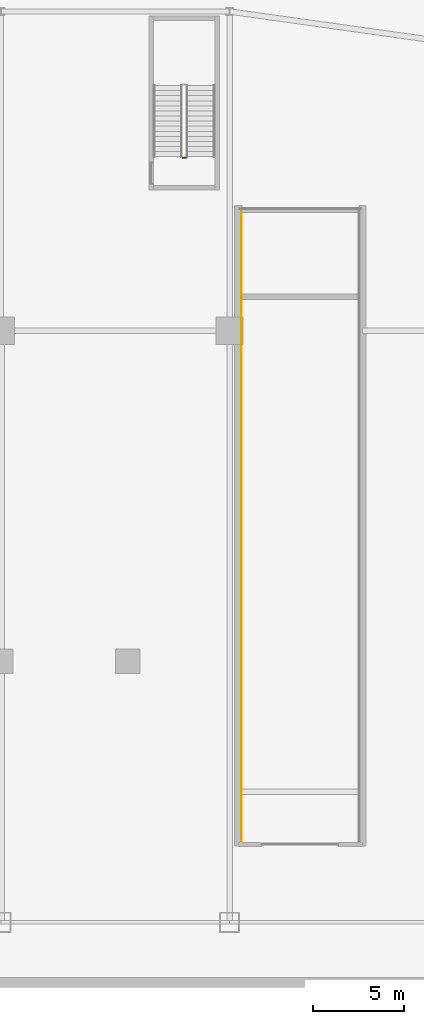
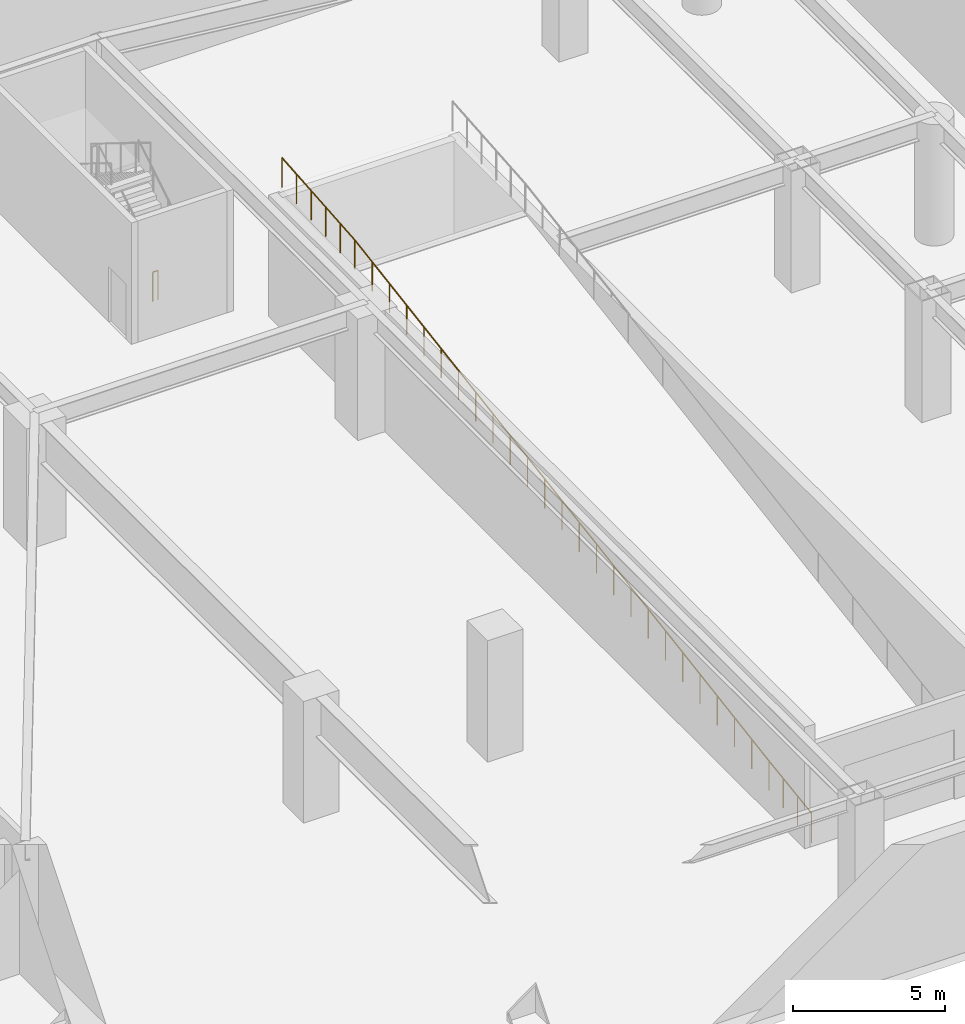
# One storey, part 11 of 13: 2 railings.
"""IFC4 building model written with IfcOpenShell, lengths in metres."""

from ifc_helpers import new_model, si_unit, direction, frame, origin, origin_2d, place, context, subcontext, project, spatial, circle, extrude, material, type_object, element, save


model = new_model("IFC4")

# Units and contexts
model_context = context("Model", 3, precision=1e-05, world=origin(), true_north=direction((0.0, 1.0)))
body_context = subcontext(model_context, "Body", "Model", "MODEL_VIEW")
ifc_project = project(units=[si_unit("LENGTHUNIT", "METRE"), si_unit("AREAUNIT", "SQUARE_METRE"), si_unit("VOLUMEUNIT", "CUBIC_METRE"), si_unit("PLANEANGLEUNIT", "RADIAN"), si_unit("MASSUNIT", "GRAM", prefix="KILO")], contexts=[model_context])

# Site, building, storey
site_placement = place(None, origin())
site = spatial("IfcSite", under=ifc_project, at=site_placement, CompositionType="ELEMENT")
building_placement = place(site_placement, origin())
building = spatial("IfcBuilding", under=site, at=building_placement, Name="Calvorn Quay Hotel", CompositionType="ELEMENT")
storey_placement = place(building_placement, frame((0.0, 0.0, -5.199951171875)))
storey = spatial("IfcBuildingStorey", under=building, at=storey_placement, Name="B1", CompositionType="ELEMENT", Elevation=-5.199951171875)

# Railings
ifc_material_1 = material(Name="Pale Anodised Aluminium and Laminated Glass", Category="aluminium")
railing_type_1 = type_object("IfcRailingType", Name="RLG-BALUSTRADE-1200", PredefinedType="BALUSTRADE", material=ifc_material_1)
railing_1_placement = place(storey_placement, frame((58.260009765625, 8.0, 0.0)))
element("IfcRailing", 1, at=railing_1_placement, inside=storey, type_object=railing_type_1, Name="Basement Vehicle Ramp Safety Guard W", PredefinedType="BALUSTRADE", context=body_context, shape_type="SweptSolid", body=[
    extrude(circle(Radius=0.02392578125, at=origin_2d()), frame((0.0, 0.0, 1.17578125), z_axis=(0.0, 0.989954671939, 0.141385103552), x_axis=(-1.0, 0.0, 0.0)), (0.0, 0.0, 1.0), 2.828369140625),
    extrude(circle(Radius=0.02392578125, at=origin_2d()), frame((0.0, 2.800048828125, 1.57568359375), z_axis=(0.0, 0.987240314238, 0.159237438885), x_axis=(-1.0, 0.0, 0.0)), (0.0, 0.0, 1.0), 27.632568359375),
    extrude(circle(Radius=0.02392578125, at=origin_2d()), frame((0.0, 30.080078125, 5.97607421875), z_axis=(0.0, 0.996547156423, 0.083028700011), x_axis=(-1.0, 0.0, 0.0)), (0.0, 0.0, 1.0), 4.81640625),
    extrude(circle(Radius=0.02099609375, at=origin_2d()), origin(), (0.0, 0.0, 1.0), 1.15185546875),
    extrude(circle(Radius=0.02099609375, at=origin_2d()), frame((0.0, 0.933349609375, 0.13330078125)), (0.0, 0.0, 1.0), 1.15185546875),
    extrude(circle(Radius=0.02099609375, at=origin_2d()), frame((0.0, 1.86669921875, 0.2666015625)), (0.0, 0.0, 1.0), 1.15185546875),
    extrude(circle(Radius=0.02099609375, at=origin_2d()), frame((0.0, 2.800048828125, 0.39990234375)), (0.0, 0.0, 1.0), 1.15185546875),
    extrude(circle(Radius=0.02099609375, at=origin_2d()), frame((0.0, 3.936767578125, 0.583251953125)), (0.0, 0.0, 1.0), 1.15185546875),
    extrude(circle(Radius=0.02099609375, at=origin_2d()), frame((0.0, 5.073486328125, 0.7666015625)), (0.0, 0.0, 1.0), 1.15185546875),
    extrude(circle(Radius=0.02099609375, at=origin_2d()), frame((0.0, 6.2099609375, 0.949951171875)), (0.0, 0.0, 1.0), 1.15185546875),
    extrude(circle(Radius=0.02099609375, at=origin_2d()), frame((0.0, 7.3466796875, 1.13330078125)), (0.0, 0.0, 1.0), 1.15185546875),
    extrude(circle(Radius=0.02099609375, at=origin_2d()), frame((0.0, 8.4833984375, 1.316650390625)), (0.0, 0.0, 1.0), 1.15185546875),
    extrude(circle(Radius=0.02099609375, at=origin_2d()), frame((0.0, 9.6201171875, 1.5)), (0.0, 0.0, 1.0), 1.15185546875),
    extrude(circle(Radius=0.02099609375, at=origin_2d()), frame((0.0, 10.7568359375, 1.683349609375)), (0.0, 0.0, 1.0), 1.15185546875),
    extrude(circle(Radius=0.02099609375, at=origin_2d()), frame((0.0, 11.893310546875, 1.86669921875)), (0.0, 0.0, 1.0), 1.15185546875),
    extrude(circle(Radius=0.02099609375, at=origin_2d()), frame((0.0, 13.030029296875, 2.050048828125)), (0.0, 0.0, 1.0), 1.15185546875),
    extrude(circle(Radius=0.02099609375, at=origin_2d()), frame((0.0, 14.166748046875, 2.2333984375)), (0.0, 0.0, 1.0), 1.15185546875),
    extrude(circle(Radius=0.02099609375, at=origin_2d()), frame((0.0, 15.303466796875, 2.416748046875)), (0.0, 0.0, 1.0), 1.15185546875),
    extrude(circle(Radius=0.02099609375, at=origin_2d()), frame((0.0, 16.43994140625, 2.60009765625)), (0.0, 0.0, 1.0), 1.15185546875),
    extrude(circle(Radius=0.02099609375, at=origin_2d()), frame((0.0, 17.57666015625, 2.783203125)), (0.0, 0.0, 1.0), 1.15185546875),
    extrude(circle(Radius=0.02099609375, at=origin_2d()), frame((0.0, 18.71337890625, 2.966552734375)), (0.0, 0.0, 1.0), 1.15185546875),
    extrude(circle(Radius=0.02099609375, at=origin_2d()), frame((0.0, 19.85009765625, 3.14990234375)), (0.0, 0.0, 1.0), 1.15185546875),
    extrude(circle(Radius=0.02099609375, at=origin_2d()), frame((0.0, 20.98681640625, 3.333251953125)), (0.0, 0.0, 1.0), 1.15185546875),
    extrude(circle(Radius=0.02099609375, at=origin_2d()), frame((0.0, 22.123291015625, 3.5166015625)), (0.0, 0.0, 1.0), 1.15185546875),
    extrude(circle(Radius=0.02099609375, at=origin_2d()), frame((0.0, 23.260009765625, 3.699951171875)), (0.0, 0.0, 1.0), 1.15185546875),
    extrude(circle(Radius=0.02099609375, at=origin_2d()), frame((0.0, 24.396728515625, 3.88330078125)), (0.0, 0.0, 1.0), 1.15185546875),
    extrude(circle(Radius=0.02099609375, at=origin_2d()), frame((0.0, 25.533447265625, 4.066650390625)), (0.0, 0.0, 1.0), 1.15185546875),
    extrude(circle(Radius=0.02099609375, at=origin_2d()), frame((0.0, 26.670166015625, 4.25)), (0.0, 0.0, 1.0), 1.15185546875),
    extrude(circle(Radius=0.02099609375, at=origin_2d()), frame((0.0, 27.806640625, 4.433349609375)), (0.0, 0.0, 1.0), 1.15185546875),
    extrude(circle(Radius=0.02099609375, at=origin_2d()), frame((0.0, 28.943359375, 4.61669921875)), (0.0, 0.0, 1.0), 1.15185546875),
    extrude(circle(Radius=0.02099609375, at=origin_2d()), frame((0.0, 30.080078125, 4.800048828125)), (0.0, 0.0, 1.0), 1.15185546875),
    extrude(circle(Radius=0.02099609375, at=origin_2d()), frame((0.0, 31.0400390625, 4.880126953125)), (0.0, 0.0, 1.0), 1.15185546875),
    extrude(circle(Radius=0.02099609375, at=origin_2d()), frame((0.0, 32.0, 4.9599609375)), (0.0, 0.0, 1.0), 1.15185546875),
    extrude(circle(Radius=0.02099609375, at=origin_2d()), frame((0.0, 32.9599609375, 5.0400390625)), (0.0, 0.0, 1.0), 1.15185546875),
    extrude(circle(Radius=0.02099609375, at=origin_2d()), frame((0.0, 33.919921875, 5.119873046875)), (0.0, 0.0, 1.0), 1.15185546875),
    extrude(circle(Radius=0.02099609375, at=origin_2d()), frame((0.0, 34.8798828125, 5.199951171875)), (0.0, 0.0, 1.0), 1.15185546875),
])
ifc_material_2 = material(Name="Painted Galvanised Steel Balustrade", Category="steel")
railing_type_2 = type_object("IfcRailingType", Name="RLG-STAIR-GUARD-1120", PredefinedType="GUARDRAIL", material=ifc_material_2)
railing_2_placement = place(storey_placement, frame((55.199951171875, 45.75, 0.0)))
element("IfcRailing", 2, at=railing_2_placement, inside=storey, type_object=railing_type_2, Name="B1 ST-P1 stair guard 4", PredefinedType="GUARDRAIL", context=body_context, shape_type="SweptSolid", body=[
    extrude(circle(Radius=0.02392578125, at=origin_2d()), frame((0.0, 0.0, 1.17578125), z_axis=(-1.0, 0.0, 0.0), x_axis=(0.0, -1.0, 0.0)), (0.0, 0.0, 1.0), 0.199951171875),
    extrude(circle(Radius=0.02099609375, at=origin_2d()), origin(), (0.0, 0.0, 1.0), 1.15185546875),
    extrude(circle(Radius=0.02099609375, at=origin_2d()), frame((-0.199951171875, 0.0, 0.0)), (0.0, 0.0, 1.0), 1.15185546875),
])

save(model, "model.ifc")
